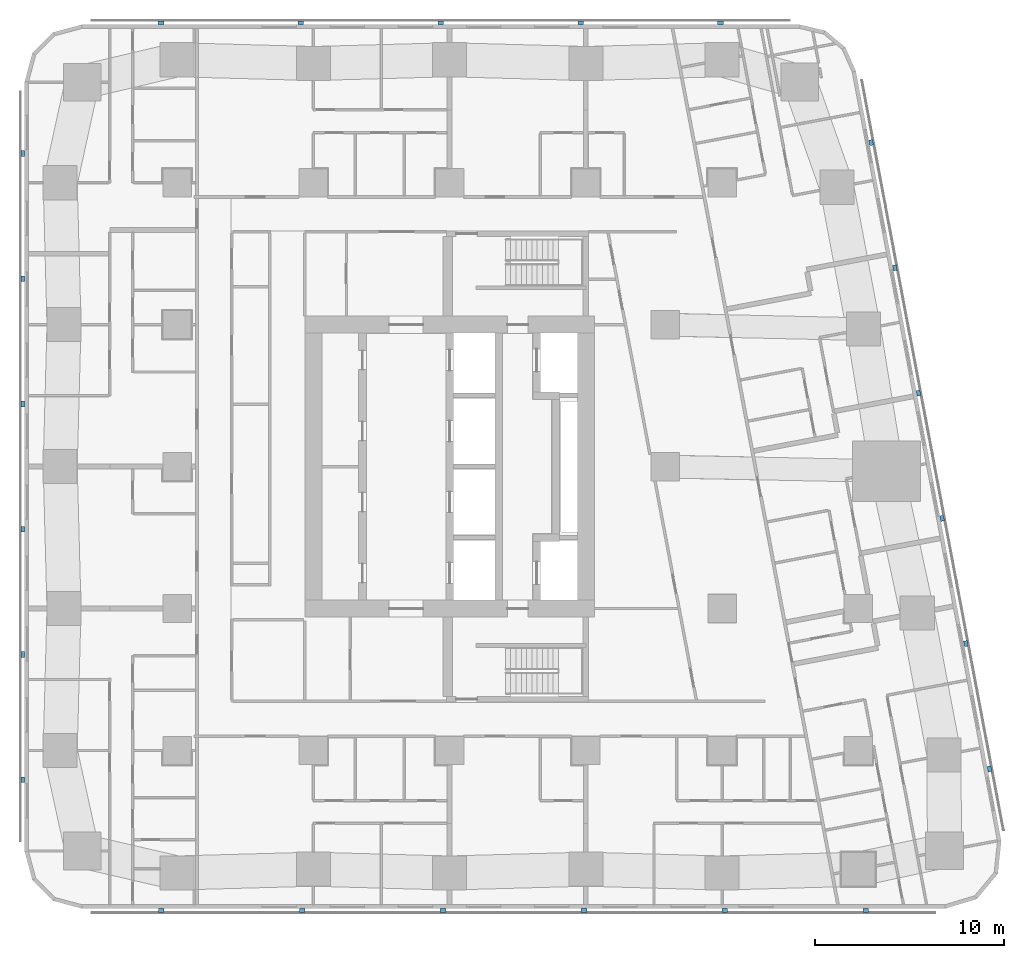
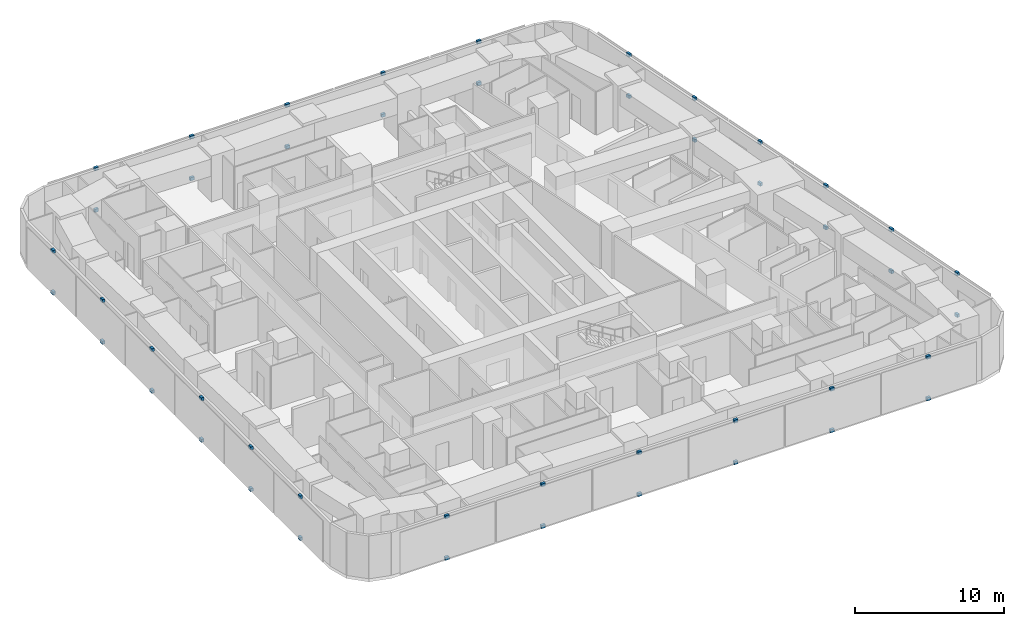
# One storey, part 12 of 15: 46 discrete accessories.
"""IFC4 building model written with IfcOpenShell, lengths in metres."""

from ifc_helpers import new_model, si_unit, direction, frame, origin, origin_2d, place, context, subcontext, project, spatial, rectangle, extrude, material, type_object, element, save


model = new_model("IFC4")

# Units and contexts
model_context = context("Model", 3, precision=1e-05, world=origin(), true_north=direction((0.0, 1.0)))
body_context = subcontext(model_context, "Body", "Model", "MODEL_VIEW")
ifc_project = project(units=[si_unit("LENGTHUNIT", "METRE"), si_unit("AREAUNIT", "SQUARE_METRE"), si_unit("VOLUMEUNIT", "CUBIC_METRE"), si_unit("PLANEANGLEUNIT", "RADIAN"), si_unit("MASSUNIT", "GRAM", prefix="KILO")], contexts=[model_context])

# Site, building, storey
site_placement = place(None, origin())
site = spatial("IfcSite", under=ifc_project, at=site_placement, CompositionType="ELEMENT")
building_placement = place(site_placement, origin())
building = spatial("IfcBuilding", under=site, at=building_placement, Name="Sheger Commons Tower", CompositionType="ELEMENT")
storey_placement = place(building_placement, frame((0.0, 0.0, 173.300048828125)))
storey = spatial("IfcBuildingStorey", under=building, at=storey_placement, Name="L44", CompositionType="ELEMENT", Elevation=173.300048828125)

# Discrete accessories
ifc_material = material(Name="Black painted steel bracket", Category="steel")
discrete_accessory_type = type_object("IfcDiscreteAccessoryType", Name="SCREEN BRACKET 300x200x250", PredefinedType="BRACKET", material=ifc_material)
for number, where, z_axis, x_axis, name in (
    (1, (6.37109375, -0.949951171875, -0.10009765625), (0.0, 0.0, 1.0), (1.0, 0.0, 0.0), "Solar screen foot bracket"),
    (2, (6.37109375, -0.949951171875, 3.300048828125), (0.0, 0.0, 1.0), (1.0, 0.0, 0.0), "Solar screen head bracket"),
    (3, (13.81396484375, -0.949951171875, -0.10009765625), (0.0, 0.0, 1.0), (1.0, 0.0, 0.0), "Solar screen foot bracket"),
    (4, (13.81396484375, -0.949951171875, 3.300048828125), (0.0, 0.0, 1.0), (1.0, 0.0, 0.0), "Solar screen head bracket"),
    (5, (21.257080078125, -0.949951171875, -0.10009765625), (0.0, 0.0, 1.0), (1.0, 0.0, 0.0), "Solar screen foot bracket"),
    (6, (21.257080078125, -0.949951171875, 3.300048828125), (0.0, 0.0, 1.0), (1.0, 0.0, 0.0), "Solar screen head bracket"),
    (7, (28.698974609375, -0.949951171875, -0.10009765625), (0.0, 0.0, 1.0), (1.0, 0.0, 0.0), "Solar screen foot bracket"),
    (8, (28.698974609375, -0.949951171875, 3.300048828125), (0.0, 0.0, 1.0), (1.0, 0.0, 0.0), "Solar screen head bracket"),
    (9, (36.14208984375, -0.949951171875, -0.10009765625), (0.0, 0.0, 1.0), (1.0, 0.0, 0.0), "Solar screen foot bracket"),
    (10, (36.14208984375, -0.949951171875, 3.300048828125), (0.0, 0.0, 1.0), (1.0, 0.0, 0.0), "Solar screen head bracket"),
    (11, (43.5849609375, -0.949951171875, -0.10009765625), (0.0, 0.0, 1.0), (1.0, 0.0, 0.0), "Solar screen foot bracket"),
    (12, (43.5849609375, -0.949951171875, 3.300048828125), (0.0, 0.0, 1.0), (1.0, 0.0, 0.0), "Solar screen head bracket"),
    (13, (50.134033203125, 6.527099609375, -0.10009765625), (0.0, 0.0, 1.0), (-0.185615165645, 0.982622516678, 0.0), "Solar screen foot bracket"),
    (14, (50.134033203125, 6.527099609375, 3.300048828125), (0.0, 0.0, 1.0), (-0.185615165645, 0.982622516678, 0.0), "Solar screen head bracket"),
    (15, (48.884033203125, 13.14599609375, -0.10009765625), (0.0, 0.0, 1.0), (-0.185615165645, 0.982622516678, 0.0), "Solar screen foot bracket"),
    (16, (48.884033203125, 13.14599609375, 3.300048828125), (0.0, 0.0, 1.0), (-0.185615165645, 0.982622516678, 0.0), "Solar screen head bracket"),
    (17, (47.633056640625, 19.76611328125, -0.10009765625), (0.0, 0.0, 1.0), (-0.185615165645, 0.982622516678, 0.0), "Solar screen foot bracket"),
    (18, (47.633056640625, 19.76611328125, 3.300048828125), (0.0, 0.0, 1.0), (-0.185615165645, 0.982622516678, 0.0), "Solar screen head bracket"),
    (19, (46.383056640625, 26.385009765625, -0.10009765625), (0.0, 0.0, 1.0), (-0.185615165645, 0.982622516678, 0.0), "Solar screen foot bracket"),
    (20, (46.383056640625, 26.385009765625, 3.300048828125), (0.0, 0.0, 1.0), (-0.185615165645, 0.982622516678, 0.0), "Solar screen head bracket"),
    (21, (45.133056640625, 33.0048828125, -0.10009765625), (0.0, 0.0, 1.0), (-0.185615165645, 0.982622516678, 0.0), "Solar screen foot bracket"),
    (22, (45.133056640625, 33.0048828125, 3.300048828125), (0.0, 0.0, 1.0), (-0.185615165645, 0.982622516678, 0.0), "Solar screen head bracket"),
    (23, (43.882080078125, 39.6240234375, -0.10009765625), (0.0, 0.0, 1.0), (-0.185615165645, 0.982622516678, 0.0), "Solar screen foot bracket"),
    (24, (43.882080078125, 39.6240234375, 3.300048828125), (0.0, 0.0, 1.0), (-0.185615165645, 0.982622516678, 0.0), "Solar screen head bracket"),
    (25, (35.9208984375, 45.949951171875, -0.10009765625), (0.0, 0.0, 1.0), (-1.0, 0.0, 0.0), "Solar screen foot bracket"),
    (26, (35.9208984375, 45.949951171875, 3.300048828125), (0.0, 0.0, 1.0), (-1.0, 0.0, 0.0), "Solar screen head bracket"),
    (27, (28.528076171875, 45.949951171875, -0.10009765625), (0.0, 0.0, 1.0), (-1.0, 0.0, 0.0), "Solar screen foot bracket"),
    (28, (28.528076171875, 45.949951171875, 3.300048828125), (0.0, 0.0, 1.0), (-1.0, 0.0, 0.0), "Solar screen head bracket"),
    (29, (21.134033203125, 45.949951171875, -0.10009765625), (0.0, 0.0, 1.0), (-1.0, 0.0, 0.0), "Solar screen foot bracket"),
    (30, (21.134033203125, 45.949951171875, 3.300048828125), (0.0, 0.0, 1.0), (-1.0, 0.0, 0.0), "Solar screen head bracket"),
    (31, (13.739990234375, 45.949951171875, -0.10009765625), (0.0, 0.0, 1.0), (-1.0, 0.0, 0.0), "Solar screen foot bracket"),
    (32, (13.739990234375, 45.949951171875, 3.300048828125), (0.0, 0.0, 1.0), (-1.0, 0.0, 0.0), "Solar screen head bracket"),
    (33, (6.346923828125, 45.949951171875, -0.10009765625), (0.0, 0.0, 1.0), (-1.0, 0.0, 0.0), "Solar screen foot bracket"),
    (34, (6.346923828125, 45.949951171875, 3.300048828125), (0.0, 0.0, 1.0), (-1.0, 0.0, 0.0), "Solar screen head bracket"),
    (35, (-0.949951171875, 39.0419921875, -0.10009765625), (0.0, 0.0, 1.0), (0.0, -1.0, 0.0), "Solar screen foot bracket"),
    (36, (-0.949951171875, 39.0419921875, 3.300048828125), (0.0, 0.0, 1.0), (0.0, -1.0, 0.0), "Solar screen head bracket"),
    (37, (-0.949951171875, 32.425048828125, -0.10009765625), (0.0, 0.0, 1.0), (0.0, -1.0, 0.0), "Solar screen foot bracket"),
    (38, (-0.949951171875, 32.425048828125, 3.300048828125), (0.0, 0.0, 1.0), (0.0, -1.0, 0.0), "Solar screen head bracket"),
    (39, (-0.949951171875, 25.80810546875, -0.10009765625), (0.0, 0.0, 1.0), (0.0, -1.0, 0.0), "Solar screen foot bracket"),
    (40, (-0.949951171875, 25.80810546875, 3.300048828125), (0.0, 0.0, 1.0), (0.0, -1.0, 0.0), "Solar screen head bracket"),
    (41, (-0.949951171875, 19.19189453125, -0.10009765625), (0.0, 0.0, 1.0), (0.0, -1.0, 0.0), "Solar screen foot bracket"),
    (42, (-0.949951171875, 19.19189453125, 3.300048828125), (0.0, 0.0, 1.0), (0.0, -1.0, 0.0), "Solar screen head bracket"),
    (43, (-0.949951171875, 12.574951171875, -0.10009765625), (0.0, 0.0, 1.0), (0.0, -1.0, 0.0), "Solar screen foot bracket"),
    (44, (-0.949951171875, 12.574951171875, 3.300048828125), (0.0, 0.0, 1.0), (0.0, -1.0, 0.0), "Solar screen head bracket"),
    (45, (-0.949951171875, 5.9580078125, -0.10009765625), (0.0, 0.0, 1.0), (0.0, -1.0, 0.0), "Solar screen foot bracket"),
    (46, (-0.949951171875, 5.9580078125, 3.300048828125), (0.0, 0.0, 1.0), (0.0, -1.0, 0.0), "Solar screen head bracket"),
):
    element("IfcDiscreteAccessory", number, at=place(storey_placement, frame(where, z_axis=z_axis, x_axis=x_axis)), inside=storey, type_object=discrete_accessory_type, Name=name, PredefinedType="BRACKET", context=body_context, shape_type="SweptSolid", body=[
        extrude(rectangle(XDim=0.300048828125, YDim=0.199951171875, at=origin_2d()), origin(), (0.0, 0.0, 1.0), 0.25),
    ])

save(model, "model.ifc")
